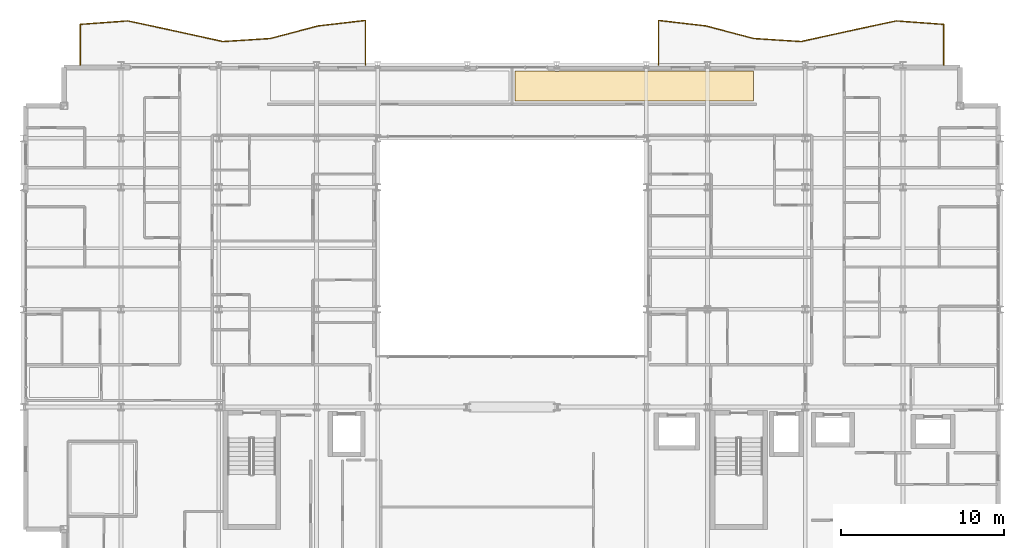
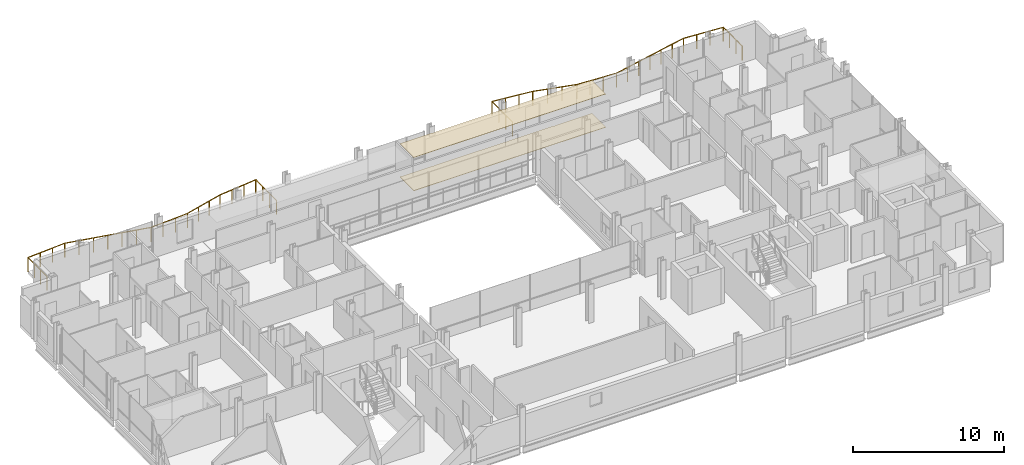
# One storey, part 41 of 41: 2 coverings, 2 railings.
"""IFC4 building model written with IfcOpenShell, lengths in metres."""

import ifcopenshell
import ifcopenshell.guid

model = None  # the IFC model being written
_history = None  # IfcOwnerHistory: only IFC2X3 demands one
_inside = {}  # id of a spatial element -> (the spatial element, [elements in it])
_under = {}  # id of a project, library or spatial element -> (it, [spatial elements below it])
_declared = {}  # id of a project -> (the project, [libraries it declares])
_typed = {}  # id of a type object -> (the type object, [elements of that type])
_made_of = {}  # id of a material, layer set ... -> (it, [elements and type objects made of it])


def new_model(schema):
    """Start an empty IFC model of exactly this schema.

    Asked for "IFC4X3", IfcOpenShell would pick the latest addendum, in which some entities
    have other attributes; the version numbers below select the first issue.
    IFC2X3 requires an IfcOwnerHistory on every rooted entity: one is made here for all.
    """
    global model, _history
    if schema == "IFC4X3":
        model = ifcopenshell.file(schema_version=(4, 3, 0, 0))
    else:
        model = ifcopenshell.file(schema=schema)
    _inside.clear()
    _under.clear()
    _declared.clear()
    _typed.clear()
    _made_of.clear()
    _history = None
    if model.schema == "IFC2X3":
        org = make("IfcOrganization", Name="unknown")
        user = make(
            "IfcPersonAndOrganization",
            ThePerson=make("IfcPerson", FamilyName="unknown"),
            TheOrganization=org,
        )
        app = make(
            "IfcApplication",
            ApplicationDeveloper=org,
            Version="unknown",
            ApplicationFullName="unknown",
            ApplicationIdentifier="unknown",
        )
        _history = make(
            "IfcOwnerHistory",
            OwningUser=user,
            OwningApplication=app,
            ChangeAction="ADDED",
            CreationDate=0,
        )
    return model


def make(cls, **values):
    """One entity of the class cls with the attributes given. An attribute that is None is left unset."""
    return model.create_entity(
        cls, **{name: value for name, value in values.items() if value is not None}
    )


def rooted(cls, **values):
    """An entity with a GlobalId (a new one), such as an element, a storey or a relation."""
    return make(cls, GlobalId=ifcopenshell.guid.new(), OwnerHistory=_history, **values)


def si_unit(unit_type, name, prefix=None):
    """IfcSIUnit, for example si_unit("LENGTHUNIT", "METRE", prefix="MILLI")."""
    return make("IfcSIUnit", UnitType=unit_type, Prefix=prefix, Name=name)


def assignment(units):
    """IfcUnitAssignment: the units of a project."""
    return None if units is None else make("IfcUnitAssignment", Units=units)


def point(xyz):
    """IfcCartesianPoint."""
    return None if xyz is None else make("IfcCartesianPoint", Coordinates=xyz)


def direction(xyz):
    """IfcDirection."""
    return None if xyz is None else make("IfcDirection", DirectionRatios=xyz)


def frame(location, z_axis=None, x_axis=None):
    """IfcAxis2Placement3D, a coordinate frame: its origin and axes. An axis left out is left unset."""
    return make(
        "IfcAxis2Placement3D",
        Location=point(location),
        Axis=direction(z_axis),
        RefDirection=direction(x_axis),
    )


def frame_2d(location, x_axis=None):
    """IfcAxis2Placement2D, a coordinate frame in the plane: its origin and x axis."""
    return make(
        "IfcAxis2Placement2D", Location=point(location), RefDirection=direction(x_axis)
    )


def origin():
    """The frame at (0, 0, 0) with its axes left unset."""
    return frame((0.0, 0.0, 0.0))


def origin_2d():
    """The frame at (0, 0) in the plane with its x axis left unset."""
    return frame_2d((0.0, 0.0))


def place(relative_to, where):
    """IfcLocalPlacement: puts the frame where relative to a parent placement (None: the world)."""
    return make(
        "IfcLocalPlacement", PlacementRelTo=relative_to, RelativePlacement=where
    )


def context(
    kind, dimensions, precision=None, world=None, true_north=None, identifier=None
):
    """IfcGeometricRepresentationContext, for example the 3D "Model" context."""
    return make(
        "IfcGeometricRepresentationContext",
        ContextIdentifier=identifier,
        ContextType=kind,
        CoordinateSpaceDimension=dimensions,
        Precision=precision,
        WorldCoordinateSystem=world,
        TrueNorth=true_north,
    )


def subcontext(parent, identifier, kind, view, scale=None):
    """IfcGeometricRepresentationSubContext, for example "Body" below "Model"."""
    return make(
        "IfcGeometricRepresentationSubContext",
        ContextIdentifier=identifier,
        ContextType=kind,
        ParentContext=parent,
        TargetScale=scale,
        TargetView=view,
    )


def project(units=None, contexts=None):
    """IfcProject with its units and contexts."""
    return rooted(
        "IfcProject",
        Name="project",
        RepresentationContexts=contexts,
        UnitsInContext=assignment(units),
    )


def spatial(cls, under=None, at=None, **own):
    """A site, building, storey or space (cls), placed at a placement, below another one or the project."""
    s = rooted(cls, ObjectPlacement=at, **own)
    if under is not None:
        _under.setdefault(under.id(), (under, []))[1].append(s)
    return s


def polyline(points):
    """IfcPolyline through the points."""
    return make("IfcPolyline", Points=[point(p) for p in points])


def profile(cls, at=None, kind="AREA", **sizes):
    """A parametric profile (cls). Its sizes go by their IFC names, for example OverallWidth=200.0."""
    return make(cls, ProfileType=kind, Position=at, **sizes)


def circle(**sizes):
    """IfcCircleProfileDef."""
    return profile("IfcCircleProfileDef", **sizes)


def outline(outer, holes=None, kind="AREA"):
    """IfcArbitraryClosedProfileDef: a profile drawn as a closed curve; with holes, ...WithVoids."""
    if holes is None:
        return make("IfcArbitraryClosedProfileDef", ProfileType=kind, OuterCurve=outer)
    return make(
        "IfcArbitraryProfileDefWithVoids",
        ProfileType=kind,
        OuterCurve=outer,
        InnerCurves=holes,
    )


def extrude(swept, where, along, depth):
    """IfcExtrudedAreaSolid: the profile swept, set in the frame where, extruded along a direction by depth."""
    return make(
        "IfcExtrudedAreaSolid",
        SweptArea=swept,
        Position=where,
        ExtrudedDirection=direction(along),
        Depth=depth,
    )


def shape(context_of_items, identifier, shape_type, items):
    """IfcShapeRepresentation: the items that make up one representation, for example the "Body"."""
    return make(
        "IfcShapeRepresentation",
        ContextOfItems=context_of_items,
        RepresentationIdentifier=identifier,
        RepresentationType=shape_type,
        Items=items,
    )


def material(Name=None, Category=None):
    """IfcMaterial."""
    return make("IfcMaterial", Name=Name, Category=Category)


def layer(
    of_material, thickness, ventilated=None, Name=None, Category=None, Priority=None
):
    """IfcMaterialLayer: one layer of a wall or slab, of a material (None: an air gap)."""
    return make(
        "IfcMaterialLayer",
        Material=of_material,
        LayerThickness=thickness,
        IsVentilated=ventilated,
        Name=Name,
        Category=Category,
        Priority=Priority,
    )


def layer_set(layers, Name=None):
    """IfcMaterialLayerSet."""
    return make("IfcMaterialLayerSet", MaterialLayers=layers, LayerSetName=Name)


def made_of(thing, what):
    """Note that an element or type object is made of a material, layer set ...; save() writes the relation."""
    if what is not None:
        _made_of.setdefault(what.id(), (what, []))[1].append(thing)
    return thing


def type_object(cls, material=None, **own):
    """A type object (cls), such as IfcWallType, which elements share."""
    return made_of(rooted(cls, **own), material)


def element(
    cls,
    number,
    at=None,
    inside=None,
    cuts=None,
    type_object=None,
    material=None,
    context=None,
    identifier="Body",
    shape_type=None,
    held_by="IfcProductDefinitionShape",
    body=None,
    shapes=None,
    **own,
):
    """One element of the class cls, such as IfcWall. Its Tag is "e" and its number.

    at: its placement. inside: the storey or other place that contains it. cuts: it is an
    opening in that element (IfcRelVoidsElement). A single representation is given by context,
    identifier, shape_type and body (its items); several are given by shapes. held_by: the class
    of the entity that holds the representations. save() writes the other relations.
    """
    e = rooted(cls, Tag="e%d" % number, ObjectPlacement=at, **own)
    if body is not None:
        shapes = [shape(context, identifier, shape_type, body)]
    if shapes is not None:
        e.Representation = make(held_by, Representations=shapes)
    if inside is not None:
        _inside.setdefault(inside.id(), (inside, []))[1].append(e)
    if cuts is not None:
        rooted(
            "IfcRelVoidsElement", RelatingBuildingElement=cuts, RelatedOpeningElement=e
        )
    if type_object is not None:
        _typed.setdefault(type_object.id(), (type_object, []))[1].append(e)
    return made_of(e, material)


def aggregate(whole, parts):
    """IfcRelAggregates: a whole, such as a stair, and the parts it consists of."""
    return rooted("IfcRelAggregates", RelatingObject=whole, RelatedObjects=parts)


def save(model, path):
    """Write the relations noted so far, then the file.

    IfcRelAggregates (storeys below a building ...), IfcRelContainedInSpatialStructure (elements
    in a storey), IfcRelDefinesByType, IfcRelAssociatesMaterial and IfcRelDeclares: one each for
    every whole, place, type object, material and project.
    """
    for whole, parts in _under.values():
        aggregate(whole, parts)
    for where, things in _inside.values():
        rooted(
            "IfcRelContainedInSpatialStructure",
            RelatedElements=things,
            RelatingStructure=where,
        )
    for kind, things in _typed.values():
        rooted("IfcRelDefinesByType", RelatedObjects=things, RelatingType=kind)
    for what, things in _made_of.values():
        rooted("IfcRelAssociatesMaterial", RelatedObjects=things, RelatingMaterial=what)
    for by, libraries in _declared.values():
        rooted("IfcRelDeclares", RelatingContext=by, RelatedDefinitions=libraries)
    model.write(path)


model = new_model("IFC4")

# Units and contexts
model_context = context("Model", 3, precision=1e-05, world=origin(), true_north=direction((0.0, 1.0)))
body_context = subcontext(model_context, "Body", "Model", "MODEL_VIEW")
ifc_project = project(units=[si_unit("LENGTHUNIT", "METRE"), si_unit("AREAUNIT", "SQUARE_METRE"), si_unit("VOLUMEUNIT", "CUBIC_METRE"), si_unit("PLANEANGLEUNIT", "RADIAN"), si_unit("MASSUNIT", "GRAM", prefix="KILO")], contexts=[model_context])

# Site, building, storey
site_placement = place(None, origin())
site = spatial("IfcSite", under=ifc_project, at=site_placement, CompositionType="ELEMENT")
building_placement = place(site_placement, origin())
building = spatial("IfcBuilding", under=site, at=building_placement, Name="Brevholm Reach", CompositionType="ELEMENT")
storey_placement = place(building_placement, frame((0.0, 0.0, 100.39990234375)))
storey = spatial("IfcBuildingStorey", under=building, at=storey_placement, Name="L29", CompositionType="ELEMENT", Elevation=100.39990234375)

# Coverings
ifc_material_1 = material(Name="Moisture-Resistant Skimmed Gypsum Plasterboard Ceiling", Category="gypsum")
ifc_layer_1 = layer(ifc_material_1, 0.030029296875)
ifc_layer_set_1 = layer_set([ifc_layer_1], Name="Moisture-Resistant Skimmed Gypsum Plasterboard Ceiling")
covering_type_1 = type_object("IfcCoveringType", Name="COV-CLG-GYP", PredefinedType="CEILING", material=ifc_layer_set_1)
covering_1_placement = place(storey_placement, frame((0.0, 0.0, 2.68017578125)))
element("IfcCovering", 1, at=covering_1_placement, inside=storey, type_object=covering_type_1, Name="L29 Suspended Ceiling L29-78", PredefinedType="CEILING", context=body_context, shape_type="SweptSolid", body=[
    extrude(outline(polyline([(32.626220703125, 30.6201171875), (32.6337890625, 30.6171875), (32.672119140625, 30.607666015625), (32.710693359375, 30.601806640625), (32.75, 30.60009765625), (32.789306640625, 30.601806640625), (32.827880859375, 30.607666015625), (32.8662109375, 30.6171875), (32.873779296875, 30.6201171875), (38.126220703125, 30.6201171875), (38.1337890625, 30.6171875), (38.172119140625, 30.607666015625), (38.210693359375, 30.601806640625), (38.25, 30.60009765625), (38.289306640625, 30.601806640625), (38.327880859375, 30.607666015625), (38.3662109375, 30.6171875), (38.373779296875, 30.6201171875), (41.876220703125, 30.6201171875), (41.8837890625, 30.6171875), (41.922119140625, 30.607666015625), (41.960693359375, 30.601806640625), (42.0, 30.60009765625), (42.039306640625, 30.601806640625), (42.077880859375, 30.607666015625), (42.1162109375, 30.6171875), (42.123779296875, 30.6201171875), (44.820068359375, 30.6201171875), (44.820068359375, 28.783935546875), (30.18408203125, 28.783935546875), (30.18408203125, 30.6201171875), (32.626220703125, 30.6201171875)])), origin(), (0.0, 0.0, 1.0), 0.030029296875),
])
ifc_material_2 = material(Name="Honed Portland-Aggregate Resin Terrazzo Flooring", Category="concrete")
ifc_layer_2 = layer(ifc_material_2, 0.031982421875)
ifc_layer_set_2 = layer_set([ifc_layer_2], Name="Honed Portland-Aggregate Resin Terrazzo Flooring")
covering_type_2 = type_object("IfcCoveringType", Name="COV-FLR-TRZ", PredefinedType="FLOORING", material=ifc_layer_set_2)
covering_2_placement = place(storey_placement, origin())
element("IfcCovering", 2, at=covering_2_placement, inside=storey, type_object=covering_type_2, Name="L29 Floor Finish L29-78", PredefinedType="FLOORING", context=body_context, shape_type="SweptSolid", body=[
    extrude(outline(polyline([(32.626220703125, 30.6201171875), (32.6337890625, 30.6171875), (32.672119140625, 30.607666015625), (32.710693359375, 30.601806640625), (32.75, 30.60009765625), (32.789306640625, 30.601806640625), (32.827880859375, 30.607666015625), (32.8662109375, 30.6171875), (32.873779296875, 30.6201171875), (38.126220703125, 30.6201171875), (38.1337890625, 30.6171875), (38.172119140625, 30.607666015625), (38.210693359375, 30.601806640625), (38.25, 30.60009765625), (38.289306640625, 30.601806640625), (38.327880859375, 30.607666015625), (38.3662109375, 30.6171875), (38.373779296875, 30.6201171875), (41.876220703125, 30.6201171875), (41.8837890625, 30.6171875), (41.922119140625, 30.607666015625), (41.960693359375, 30.601806640625), (42.0, 30.60009765625), (42.039306640625, 30.601806640625), (42.077880859375, 30.607666015625), (42.1162109375, 30.6171875), (42.123779296875, 30.6201171875), (44.820068359375, 30.6201171875), (44.820068359375, 28.783935546875), (30.18408203125, 28.783935546875), (30.18408203125, 30.6201171875), (32.626220703125, 30.6201171875)])), origin(), (0.0, 0.0, 1.0), 0.031982421875),
])

# Railings
ifc_material_3 = material(Name="Brushed Stainless Steel EN 1.4401 and Laminated Glass", Category="steel")
railing_type = type_object("IfcRailingType", Name="RAL-BALC-1150", PredefinedType="BALUSTRADE", material=ifc_material_3)
railing_1_placement = place(storey_placement, frame((56.5, 31.0, 0.0)))
element("IfcRailing", 3, at=railing_1_placement, inside=storey, type_object=railing_type, Name="L29 Guard Balustrade RAL-L29-BAL-NE", PredefinedType="BALUSTRADE", context=body_context, shape_type="SweptSolid", body=[
    extrude(circle(Radius=0.02392578125, at=origin_2d()), frame((0.0, 0.0, 1.1259765625), z_axis=(0.0, 1.0, 0.0), x_axis=(-1.0, 0.0, 0.0)), (0.0, 0.0, 1.0), 2.499755859375),
    extrude(circle(Radius=0.02392578125, at=origin_2d()), frame((0.0, 2.499755859375, 1.1259765625), z_axis=(-0.997334760815, 0.072961461535, 0.0), x_axis=(-0.072961461535, -0.997334760815, 0.0)), (0.0, 0.0, 1.0), 2.924560546875),
    extrude(circle(Radius=0.02392578125, at=origin_2d()), frame((-2.916748046875, 2.713134765625, 1.1259765625), z_axis=(-0.977716094956, -0.209931507079, 0.0), x_axis=(0.209931507079, -0.977716094956, 0.0)), (0.0, 0.0, 1.0), 2.98291015625),
    extrude(circle(Radius=0.02392578125, at=origin_2d()), frame((-5.833251953125, 2.0869140625, 1.1259765625), z_axis=(-0.976615982801, -0.214991214093, 0.0), x_axis=(0.214991214093, -0.976615982801, 0.0)), (0.0, 0.0, 1.0), 2.986572265625),
    extrude(circle(Radius=0.02392578125, at=origin_2d()), frame((-8.75, 1.44482421875, 1.1259765625), z_axis=(-0.997945514781, 0.06406831923, 0.0), x_axis=(-0.06406831923, -0.997945514781, 0.0)), (0.0, 0.0, 1.0), 2.9228515625),
    extrude(circle(Radius=0.02392578125, at=origin_2d()), frame((-11.666748046875, 1.632080078125, 1.1259765625), z_axis=(-0.966868735292, 0.255274065889, 0.0), x_axis=(-0.255274065889, -0.966868735292, 0.0)), (0.0, 0.0, 1.0), 3.016357421875),
    extrude(circle(Radius=0.02392578125, at=origin_2d()), frame((-14.583251953125, 2.402099609375, 1.1259765625), z_axis=(-0.99329006652, 0.11564965954, 0.0), x_axis=(-0.11564965954, -0.99329006652, 0.0)), (0.0, 0.0, 1.0), 2.9365234375),
    extrude(circle(Radius=0.02392578125, at=origin_2d()), frame((-17.5, 2.74169921875, 1.1259765625), z_axis=(0.0, -1.0, 0.0), x_axis=(1.0, 0.0, 0.0)), (0.0, 0.0, 1.0), 2.74169921875),
    extrude(circle(Radius=0.02099609375, at=origin_2d()), origin(), (0.0, 0.0, 1.0), 1.101806640625),
    extrude(circle(Radius=0.02099609375, at=origin_2d()), frame((0.0, 0.833251953125, 0.0)), (0.0, 0.0, 1.0), 1.101806640625),
    extrude(circle(Radius=0.02099609375, at=origin_2d()), frame((0.0, 1.66650390625, 0.0)), (0.0, 0.0, 1.0), 1.101806640625),
    extrude(circle(Radius=0.02099609375, at=origin_2d()), frame((0.0, 2.499755859375, 0.0)), (0.0, 0.0, 1.0), 1.101806640625),
    extrude(circle(Radius=0.02099609375, at=origin_2d()), frame((-0.97216796875, 2.57080078125, 0.0)), (0.0, 0.0, 1.0), 1.101806640625),
    extrude(circle(Radius=0.02099609375, at=origin_2d()), frame((-1.944580078125, 2.64208984375, 0.0)), (0.0, 0.0, 1.0), 1.101806640625),
    extrude(circle(Radius=0.02099609375, at=origin_2d()), frame((-2.916748046875, 2.713134765625, 0.0)), (0.0, 0.0, 1.0), 1.101806640625),
    extrude(circle(Radius=0.02099609375, at=origin_2d()), frame((-3.888916015625, 2.50439453125, 0.0)), (0.0, 0.0, 1.0), 1.101806640625),
    extrude(circle(Radius=0.02099609375, at=origin_2d()), frame((-4.861083984375, 2.295654296875, 0.0)), (0.0, 0.0, 1.0), 1.101806640625),
    extrude(circle(Radius=0.02099609375, at=origin_2d()), frame((-5.833251953125, 2.0869140625, 0.0)), (0.0, 0.0, 1.0), 1.101806640625),
    extrude(circle(Radius=0.02099609375, at=origin_2d()), frame((-6.805419921875, 1.872802734375, 0.0)), (0.0, 0.0, 1.0), 1.101806640625),
    extrude(circle(Radius=0.02099609375, at=origin_2d()), frame((-7.77783203125, 1.658935546875, 0.0)), (0.0, 0.0, 1.0), 1.101806640625),
    extrude(circle(Radius=0.02099609375, at=origin_2d()), frame((-8.75, 1.44482421875, 0.0)), (0.0, 0.0, 1.0), 1.101806640625),
    extrude(circle(Radius=0.02099609375, at=origin_2d()), frame((-9.72216796875, 1.50732421875, 0.0)), (0.0, 0.0, 1.0), 1.101806640625),
    extrude(circle(Radius=0.02099609375, at=origin_2d()), frame((-10.694580078125, 1.569580078125, 0.0)), (0.0, 0.0, 1.0), 1.101806640625),
    extrude(circle(Radius=0.02099609375, at=origin_2d()), frame((-11.666748046875, 1.632080078125, 0.0)), (0.0, 0.0, 1.0), 1.101806640625),
    extrude(circle(Radius=0.02099609375, at=origin_2d()), frame((-12.638916015625, 1.888671875, 0.0)), (0.0, 0.0, 1.0), 1.101806640625),
    extrude(circle(Radius=0.02099609375, at=origin_2d()), frame((-13.611083984375, 2.1455078125, 0.0)), (0.0, 0.0, 1.0), 1.101806640625),
    extrude(circle(Radius=0.02099609375, at=origin_2d()), frame((-14.583251953125, 2.402099609375, 0.0)), (0.0, 0.0, 1.0), 1.101806640625),
    extrude(circle(Radius=0.02099609375, at=origin_2d()), frame((-15.555419921875, 2.515380859375, 0.0)), (0.0, 0.0, 1.0), 1.101806640625),
    extrude(circle(Radius=0.02099609375, at=origin_2d()), frame((-16.52783203125, 2.62841796875, 0.0)), (0.0, 0.0, 1.0), 1.101806640625),
    extrude(circle(Radius=0.02099609375, at=origin_2d()), frame((-17.5, 2.74169921875, 0.0)), (0.0, 0.0, 1.0), 1.101806640625),
    extrude(circle(Radius=0.02099609375, at=origin_2d()), frame((-17.5, 1.827880859375, 0.0)), (0.0, 0.0, 1.0), 1.101806640625),
    extrude(circle(Radius=0.02099609375, at=origin_2d()), frame((-17.5, 0.913818359375, 0.0)), (0.0, 0.0, 1.0), 1.101806640625),
    extrude(circle(Radius=0.02099609375, at=origin_2d()), frame((-17.5, 0.0, 0.0)), (0.0, 0.0, 1.0), 1.101806640625),
])
railing_2_placement = place(storey_placement, frame((21.0, 31.0, 0.0)))
element("IfcRailing", 4, at=railing_2_placement, inside=storey, type_object=railing_type, Name="L29 Guard Balustrade RAL-L29-BAL-NW", PredefinedType="BALUSTRADE", context=body_context, shape_type="SweptSolid", body=[
    extrude(circle(Radius=0.02392578125, at=origin_2d()), frame((0.0, 0.0, 1.1259765625), z_axis=(0.0, 1.0, 0.0), x_axis=(-1.0, 0.0, 0.0)), (0.0, 0.0, 1.0), 2.74169921875),
    extrude(circle(Radius=0.02392578125, at=origin_2d()), frame((0.0, 2.74169921875, 1.1259765625), z_axis=(-0.99329006652, -0.11564965954, 0.0), x_axis=(0.11564965954, -0.99329006652, 0.0)), (0.0, 0.0, 1.0), 2.9365234375),
    extrude(circle(Radius=0.02392578125, at=origin_2d()), frame((-2.916748046875, 2.402099609375, 1.1259765625), z_axis=(-0.966868735292, -0.255274065889, 0.0), x_axis=(0.255274065889, -0.966868735292, 0.0)), (0.0, 0.0, 1.0), 3.016357421875),
    extrude(circle(Radius=0.02392578125, at=origin_2d()), frame((-5.833251953125, 1.632080078125, 1.1259765625), z_axis=(-0.997945514781, -0.06406831923, 0.0), x_axis=(0.06406831923, -0.997945514781, 0.0)), (0.0, 0.0, 1.0), 2.9228515625),
    extrude(circle(Radius=0.02392578125, at=origin_2d()), frame((-8.75, 1.44482421875, 1.1259765625), z_axis=(-0.976615982801, 0.214991214093, 0.0), x_axis=(-0.214991214093, -0.976615982801, 0.0)), (0.0, 0.0, 1.0), 2.986572265625),
    extrude(circle(Radius=0.02392578125, at=origin_2d()), frame((-11.666748046875, 2.0869140625, 1.1259765625), z_axis=(-0.977716094956, 0.209931507079, 0.0), x_axis=(-0.209931507079, -0.977716094956, 0.0)), (0.0, 0.0, 1.0), 2.98291015625),
    extrude(circle(Radius=0.02392578125, at=origin_2d()), frame((-14.583251953125, 2.713134765625, 1.1259765625), z_axis=(-0.997334760815, -0.072961461535, 0.0), x_axis=(0.072961461535, -0.997334760815, 0.0)), (0.0, 0.0, 1.0), 2.924560546875),
    extrude(circle(Radius=0.02392578125, at=origin_2d()), frame((-17.5, 2.499755859375, 1.1259765625), z_axis=(0.0, -1.0, 0.0), x_axis=(1.0, 0.0, 0.0)), (0.0, 0.0, 1.0), 2.499755859375),
    extrude(circle(Radius=0.02099609375, at=origin_2d()), origin(), (0.0, 0.0, 1.0), 1.101806640625),
    extrude(circle(Radius=0.02099609375, at=origin_2d()), frame((0.0, 0.913818359375, 0.0)), (0.0, 0.0, 1.0), 1.101806640625),
    extrude(circle(Radius=0.02099609375, at=origin_2d()), frame((0.0, 1.827880859375, 0.0)), (0.0, 0.0, 1.0), 1.101806640625),
    extrude(circle(Radius=0.02099609375, at=origin_2d()), frame((0.0, 2.74169921875, 0.0)), (0.0, 0.0, 1.0), 1.101806640625),
    extrude(circle(Radius=0.02099609375, at=origin_2d()), frame((-0.97216796875, 2.62841796875, 0.0)), (0.0, 0.0, 1.0), 1.101806640625),
    extrude(circle(Radius=0.02099609375, at=origin_2d()), frame((-1.944580078125, 2.515380859375, 0.0)), (0.0, 0.0, 1.0), 1.101806640625),
    extrude(circle(Radius=0.02099609375, at=origin_2d()), frame((-2.916748046875, 2.402099609375, 0.0)), (0.0, 0.0, 1.0), 1.101806640625),
    extrude(circle(Radius=0.02099609375, at=origin_2d()), frame((-3.888916015625, 2.1455078125, 0.0)), (0.0, 0.0, 1.0), 1.101806640625),
    extrude(circle(Radius=0.02099609375, at=origin_2d()), frame((-4.861083984375, 1.888671875, 0.0)), (0.0, 0.0, 1.0), 1.101806640625),
    extrude(circle(Radius=0.02099609375, at=origin_2d()), frame((-5.833251953125, 1.632080078125, 0.0)), (0.0, 0.0, 1.0), 1.101806640625),
    extrude(circle(Radius=0.02099609375, at=origin_2d()), frame((-6.805419921875, 1.569580078125, 0.0)), (0.0, 0.0, 1.0), 1.101806640625),
    extrude(circle(Radius=0.02099609375, at=origin_2d()), frame((-7.77783203125, 1.50732421875, 0.0)), (0.0, 0.0, 1.0), 1.101806640625),
    extrude(circle(Radius=0.02099609375, at=origin_2d()), frame((-8.75, 1.44482421875, 0.0)), (0.0, 0.0, 1.0), 1.101806640625),
    extrude(circle(Radius=0.02099609375, at=origin_2d()), frame((-9.72216796875, 1.658935546875, 0.0)), (0.0, 0.0, 1.0), 1.101806640625),
    extrude(circle(Radius=0.02099609375, at=origin_2d()), frame((-10.694580078125, 1.872802734375, 0.0)), (0.0, 0.0, 1.0), 1.101806640625),
    extrude(circle(Radius=0.02099609375, at=origin_2d()), frame((-11.666748046875, 2.0869140625, 0.0)), (0.0, 0.0, 1.0), 1.101806640625),
    extrude(circle(Radius=0.02099609375, at=origin_2d()), frame((-12.638916015625, 2.295654296875, 0.0)), (0.0, 0.0, 1.0), 1.101806640625),
    extrude(circle(Radius=0.02099609375, at=origin_2d()), frame((-13.611083984375, 2.50439453125, 0.0)), (0.0, 0.0, 1.0), 1.101806640625),
    extrude(circle(Radius=0.02099609375, at=origin_2d()), frame((-14.583251953125, 2.713134765625, 0.0)), (0.0, 0.0, 1.0), 1.101806640625),
    extrude(circle(Radius=0.02099609375, at=origin_2d()), frame((-15.555419921875, 2.64208984375, 0.0)), (0.0, 0.0, 1.0), 1.101806640625),
    extrude(circle(Radius=0.02099609375, at=origin_2d()), frame((-16.52783203125, 2.57080078125, 0.0)), (0.0, 0.0, 1.0), 1.101806640625),
    extrude(circle(Radius=0.02099609375, at=origin_2d()), frame((-17.5, 2.499755859375, 0.0)), (0.0, 0.0, 1.0), 1.101806640625),
    extrude(circle(Radius=0.02099609375, at=origin_2d()), frame((-17.5, 1.66650390625, 0.0)), (0.0, 0.0, 1.0), 1.101806640625),
    extrude(circle(Radius=0.02099609375, at=origin_2d()), frame((-17.5, 0.833251953125, 0.0)), (0.0, 0.0, 1.0), 1.101806640625),
    extrude(circle(Radius=0.02099609375, at=origin_2d()), frame((-17.5, 0.0, 0.0)), (0.0, 0.0, 1.0), 1.101806640625),
])

save(model, "model.ifc")
